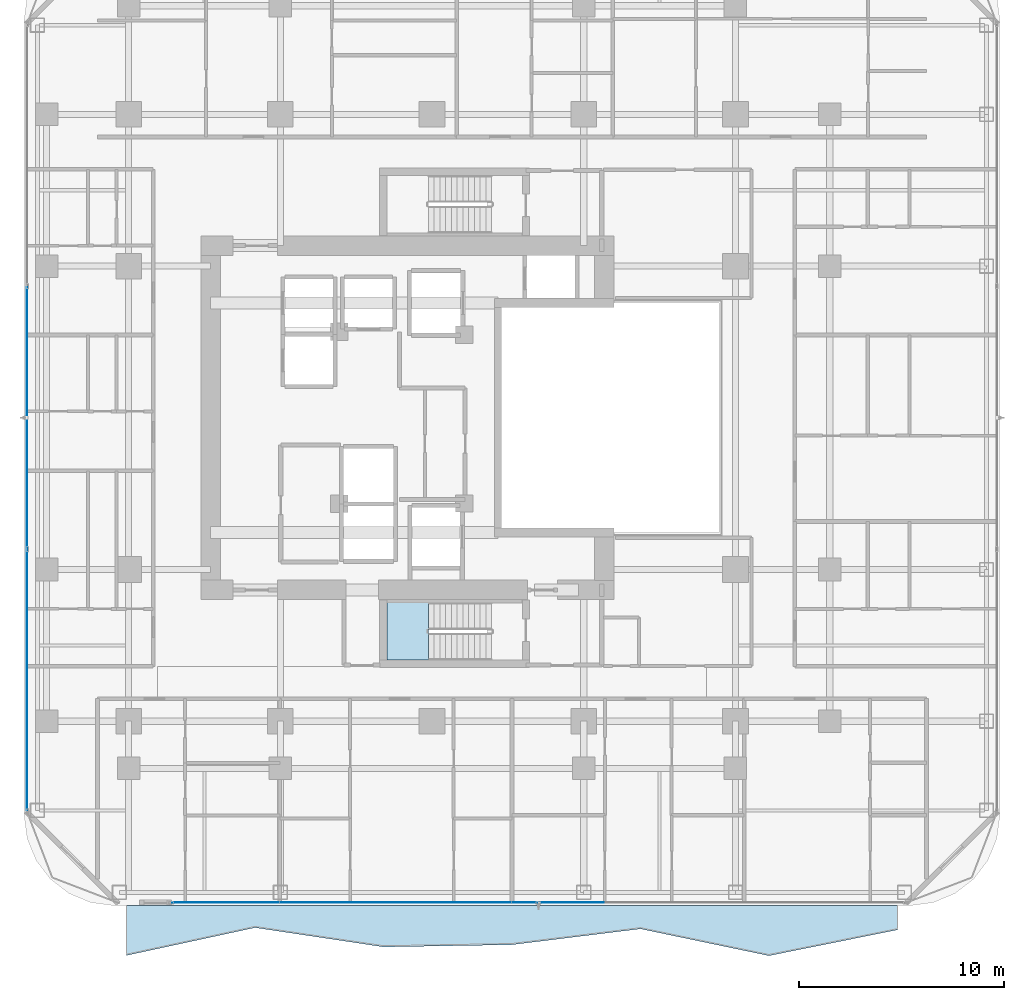
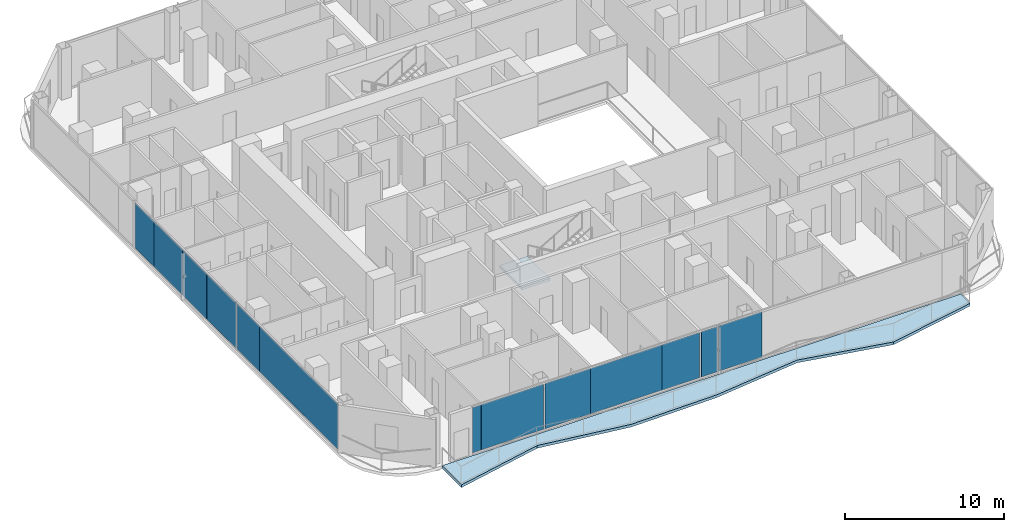
# One storey, part 16 of 29: 13 plates, 2 slabs, 3 elements without a shape of their own.
"""IFC4 building model written with IfcOpenShell, lengths in metres."""

from ifc_helpers import new_model, si_unit, direction, frame, origin, origin_2d, place, context, subcontext, project, spatial, polyline, rectangle, outline, extrude, material, layer, layer_set, type_object, element, aggregate, save


model = new_model("IFC4")

# Units and contexts
model_context = context("Model", 3, precision=1e-05, world=origin(), true_north=direction((0.0, 1.0)))
body_context = subcontext(model_context, "Body", "Model", "MODEL_VIEW")
ifc_project = project(units=[si_unit("LENGTHUNIT", "METRE"), si_unit("AREAUNIT", "SQUARE_METRE"), si_unit("VOLUMEUNIT", "CUBIC_METRE"), si_unit("PLANEANGLEUNIT", "RADIAN"), si_unit("MASSUNIT", "GRAM", prefix="KILO")], contexts=[model_context])

# Site, building, storey
site_placement = place(None, origin())
site = spatial("IfcSite", under=ifc_project, at=site_placement, CompositionType="ELEMENT")
building_placement = place(site_placement, origin())
building = spatial("IfcBuilding", under=site, at=building_placement, Name="Khorvyn Point Tower", CompositionType="ELEMENT")
storey_placement = place(building_placement, frame((0.0, 0.0, 144.60009765625)))
storey = spatial("IfcBuildingStorey", under=building, at=storey_placement, Name="L36", CompositionType="ELEMENT", Elevation=144.60009765625)

# Slab
ifc_material_1 = material(Name="Concrete C40/50", Category="concrete")
ifc_layer_1 = layer(ifc_material_1, 0.2099609375)
ifc_layer_set_1 = layer_set([ifc_layer_1], Name="Concrete C40/50 Rippling Balcony Slab 210")
slab_type_1 = type_object("IfcSlabType", Name="Concrete C40/50 Rippling Balcony Slab 210", PredefinedType="USERDEFINED", material=ifc_layer_set_1)
slab_1_placement = place(storey_placement, frame((0.0, 0.0, -0.210205078125)))
element("IfcSlab", 1, at=slab_1_placement, inside=storey, type_object=slab_type_1, Name="L36 South Sinusoidal Rippling Balcony", ObjectType="BALCONY", PredefinedType="USERDEFINED", context=body_context, shape_type="SweptSolid", body=[
    extrude(outline(polyline([(-14.89990234375, -23.800048828125), (-14.89990234375, -26.226806640625), (-8.63330078125, -24.87158203125), (-2.36669921875, -25.8125), (3.89990234375, -25.705078125), (10.166748046875, -24.930908203125), (16.433349609375, -26.241455078125), (22.699951171875, -24.978759765625), (22.699951171875, -23.800048828125), (-14.89990234375, -23.800048828125)])), origin(), (0.0, 0.0, 1.0), 0.210205078125),
])

# Stair, slab
stair_type = type_object("IfcStairType", Name="Tower Concrete C40/50 Dogleg Exit Stair", PredefinedType="HALF_TURN_STAIR", material=ifc_material_1)
stair_placement = place(storey_placement, origin())
stair = element("IfcStair", 2, at=stair_placement, inside=storey, type_object=stair_type, Name="L36 Tower Smokeproof Exit Stair South", PredefinedType="HALF_TURN_STAIR")
ifc_layer_2 = layer(ifc_material_1, 0.199951171875)
ifc_layer_set_2 = layer_set([ifc_layer_2], Name="Concrete C40/50 Stair Landing Slab 200")
slab_type_2 = type_object("IfcSlabType", Name="Concrete C40/50 Stair Landing Slab 200", PredefinedType="LANDING", material=ifc_layer_set_2)
slab_2_placement = place(storey_placement, frame((0.0, 0.0, 1.75)))
slab_2 = element("IfcSlab", 3, at=slab_2_placement, type_object=slab_type_2, Name="ST-01 landing 1", PredefinedType="LANDING", context=body_context, shape_type="SweptSolid", body=[
    extrude(outline(polyline([(-0.179931640625, -9.02001953125), (-2.199951171875, -9.02001953125), (-2.199951171875, -11.820068359375), (-0.179931640625, -11.820068359375), (-0.179931640625, -9.02001953125)])), origin(), (0.0, 0.0, 1.0), 0.199951171875),
])
aggregate(stair, [slab_2])

# Curtain wall, plates
ifc_material_2 = material(Name="Anodised aluminium 6063-T6 and laminated Low-E glass", Category="aluminium")
ifc_layer_3 = layer(ifc_material_2, 0.18994140625)
ifc_layer_set_3 = layer_set([ifc_layer_3], Name="Stick-Built Acoustic Curtain Wall CW-SYS-03")
curtain_wall_type = type_object("IfcCurtainWallType", Name="Stick-Built Acoustic Curtain Wall CW-SYS-03", PredefinedType="NOTDEFINED", material=ifc_layer_set_3)
curtain_wall_1_placement = place(storey_placement, origin())
curtain_wall_1 = element("IfcCurtainWall", 4, at=curtain_wall_1_placement, inside=storey, type_object=curtain_wall_type, Name="Curtain Wall", PredefinedType="NOTDEFINED")
ifc_material_3 = material(Name="Laminated Low-E insulated glass", Category="glass")
ifc_layer_4 = layer(ifc_material_3, 0.028076171875)
ifc_layer_set_4 = layer_set([ifc_layer_4], Name="Tempered Low-E Vision Glazing Panel CW-GL28")
plate_type = type_object("IfcPlateType", Name="Tempered Low-E Vision Glazing Panel CW-GL28", PredefinedType="CURTAIN_PANEL", material=ifc_layer_set_4)
plate_1_placement = place(storey_placement, frame((6.8046875, -23.64990234375, 0.099853515625), z_axis=(0.0, 0.0, 1.0), x_axis=(-1.0, 0.0, 0.0)))
plate_1 = element("IfcPlate", 5, at=plate_1_placement, type_object=plate_type, Name="Panel", PredefinedType="CURTAIN_PANEL", context=body_context, shape_type="SweptSolid", body=[
    extrude(rectangle(XDim=3.12060546875, YDim=0.028076171875, at=origin_2d()), origin(), (0.0, 0.0, 1.0), 3.47998046875),
])
plate_2_placement = place(storey_placement, frame((-12.3291015625, -23.64990234375, 0.099853515625), z_axis=(0.0, 0.0, 1.0), x_axis=(-1.0, 0.0, 0.0)))
plate_2 = element("IfcPlate", 6, at=plate_2_placement, type_object=plate_type, Name="Panel", PredefinedType="CURTAIN_PANEL", context=body_context, shape_type="SweptSolid", body=[
    extrude(rectangle(XDim=0.672119140625, YDim=0.028076171875, at=origin_2d()), origin(), (0.0, 0.0, 1.0), 3.47998046875),
])
plate_3_placement = place(storey_placement, frame((-9.736083984375, -23.64990234375, 0.099853515625), z_axis=(0.0, 0.0, 1.0), x_axis=(-1.0, 0.0, 0.0)))
plate_3 = element("IfcPlate", 7, at=plate_3_placement, type_object=plate_type, Name="Panel", PredefinedType="CURTAIN_PANEL", context=body_context, shape_type="SweptSolid", body=[
    extrude(rectangle(XDim=4.498046875, YDim=0.028076171875, at=origin_2d()), origin(), (0.0, 0.0, 1.0), 3.47998046875),
])
plate_4_placement = place(storey_placement, frame((-5.7119140625, -23.64990234375, 0.099853515625), z_axis=(0.0, 0.0, 1.0), x_axis=(-1.0, 0.0, 0.0)))
plate_4 = element("IfcPlate", 8, at=plate_4_placement, type_object=plate_type, Name="Panel", PredefinedType="CURTAIN_PANEL", context=body_context, shape_type="SweptSolid", body=[
    extrude(rectangle(XDim=3.2939453125, YDim=0.028076171875, at=origin_2d()), origin(), (0.0, 0.0, 1.0), 3.47998046875),
])
plate_5_placement = place(storey_placement, frame((-1.4755859375, -23.64990234375, 0.099853515625), z_axis=(0.0, 0.0, 1.0), x_axis=(-1.0, 0.0, 0.0)))
plate_5 = element("IfcPlate", 9, at=plate_5_placement, type_object=plate_type, Name="Panel", PredefinedType="CURTAIN_PANEL", context=body_context, shape_type="SweptSolid", body=[
    extrude(rectangle(XDim=5.1630859375, YDim=0.028076171875, at=origin_2d()), origin(), (0.0, 0.0, 1.0), 3.47998046875),
])
plate_6_placement = place(storey_placement, frame((2.47509765625, -23.64990234375, 0.099853515625), z_axis=(0.0, 0.0, 1.0), x_axis=(-1.0, 0.0, 0.0)))
plate_6 = element("IfcPlate", 10, at=plate_6_placement, type_object=plate_type, Name="Panel", PredefinedType="CURTAIN_PANEL", context=body_context, shape_type="SweptSolid", body=[
    extrude(rectangle(XDim=2.721923828125, YDim=0.028076171875, at=origin_2d()), origin(), (0.0, 0.0, 1.0), 3.47998046875),
])
plate_7_placement = place(storey_placement, frame((4.55029296875, -23.64990234375, 0.099853515625), z_axis=(0.0, 0.0, 1.0), x_axis=(-1.0, 0.0, 0.0)))
plate_7 = element("IfcPlate", 11, at=plate_7_placement, type_object=plate_type, Name="Panel", PredefinedType="CURTAIN_PANEL", context=body_context, shape_type="SweptSolid", body=[
    extrude(rectangle(XDim=1.172607421875, YDim=0.028076171875, at=origin_2d()), origin(), (0.0, 0.0, 1.0), 3.47998046875),
])
aggregate(curtain_wall_1, [plate_1, plate_2, plate_3, plate_4, plate_5, plate_6, plate_7])

curtain_wall_2_placement = place(storey_placement, origin())
curtain_wall_2 = element("IfcCurtainWall", 12, at=curtain_wall_2_placement, inside=storey, type_object=curtain_wall_type, Name="Curtain Wall", PredefinedType="NOTDEFINED")
plate_8_placement = place(storey_placement, frame((-19.75, -14.205078125, 0.099853515625), z_axis=(0.0, 0.0, 1.0), x_axis=(0.0, 1.0, 0.0)))
plate_8 = element("IfcPlate", 13, at=plate_8_placement, type_object=plate_type, Name="Panel", PredefinedType="CURTAIN_PANEL", context=body_context, shape_type="SweptSolid", body=[
    extrude(rectangle(XDim=9.882080078125, YDim=0.028076171875, at=origin_2d()), origin(), (0.0, 0.0, 1.0), 3.47998046875),
])
plate_9_placement = place(storey_placement, frame((-19.75, -7.86328125, 0.099853515625), z_axis=(0.0, 0.0, 1.0), x_axis=(0.0, 1.0, 0.0)))
plate_9 = element("IfcPlate", 14, at=plate_9_placement, type_object=plate_type, Name="Panel", PredefinedType="CURTAIN_PANEL", context=body_context, shape_type="SweptSolid", body=[
    extrude(rectangle(XDim=2.785400390625, YDim=0.028076171875, at=origin_2d()), origin(), (0.0, 0.0, 1.0), 3.47998046875),
])
plate_10_placement = place(storey_placement, frame((-19.75, -4.50634765625, 0.099853515625), z_axis=(0.0, 0.0, 1.0), x_axis=(0.0, 1.0, 0.0)))
plate_10 = element("IfcPlate", 15, at=plate_10_placement, type_object=plate_type, Name="Panel", PredefinedType="CURTAIN_PANEL", context=body_context, shape_type="SweptSolid", body=[
    extrude(rectangle(XDim=3.712646484375, YDim=0.028076171875, at=origin_2d()), origin(), (0.0, 0.0, 1.0), 3.47998046875),
])
plate_11_placement = place(storey_placement, frame((-19.75, -1.135986328125, 0.099853515625), z_axis=(0.0, 0.0, 1.0), x_axis=(0.0, 1.0, 0.0)))
plate_11 = element("IfcPlate", 16, at=plate_11_placement, type_object=plate_type, Name="Panel", PredefinedType="CURTAIN_PANEL", context=body_context, shape_type="SweptSolid", body=[
    extrude(rectangle(XDim=3.011962890625, YDim=0.028076171875, at=origin_2d()), origin(), (0.0, 0.0, 1.0), 3.47998046875),
])
plate_12_placement = place(storey_placement, frame((-19.75, 2.177001953125, 0.099853515625), z_axis=(0.0, 0.0, 1.0), x_axis=(0.0, 1.0, 0.0)))
plate_12 = element("IfcPlate", 17, at=plate_12_placement, type_object=plate_type, Name="Panel", PredefinedType="CURTAIN_PANEL", context=body_context, shape_type="SweptSolid", body=[
    extrude(rectangle(XDim=3.597900390625, YDim=0.028076171875, at=origin_2d()), origin(), (0.0, 0.0, 1.0), 3.47998046875),
])
plate_13_placement = place(storey_placement, frame((-19.75, 5.17333984375, 0.099853515625), z_axis=(0.0, 0.0, 1.0), x_axis=(0.0, 1.0, 0.0)))
plate_13 = element("IfcPlate", 18, at=plate_13_placement, type_object=plate_type, Name="Panel", PredefinedType="CURTAIN_PANEL", context=body_context, shape_type="SweptSolid", body=[
    extrude(rectangle(XDim=2.378662109375, YDim=0.028076171875, at=origin_2d()), origin(), (0.0, 0.0, 1.0), 3.47998046875),
])
aggregate(curtain_wall_2, [plate_8, plate_9, plate_10, plate_11, plate_12, plate_13])

save(model, "model.ifc")
